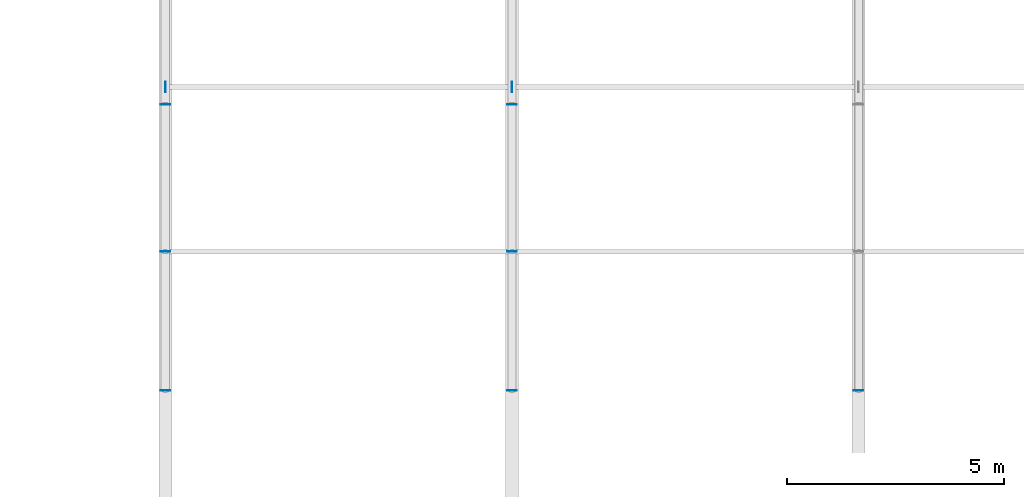
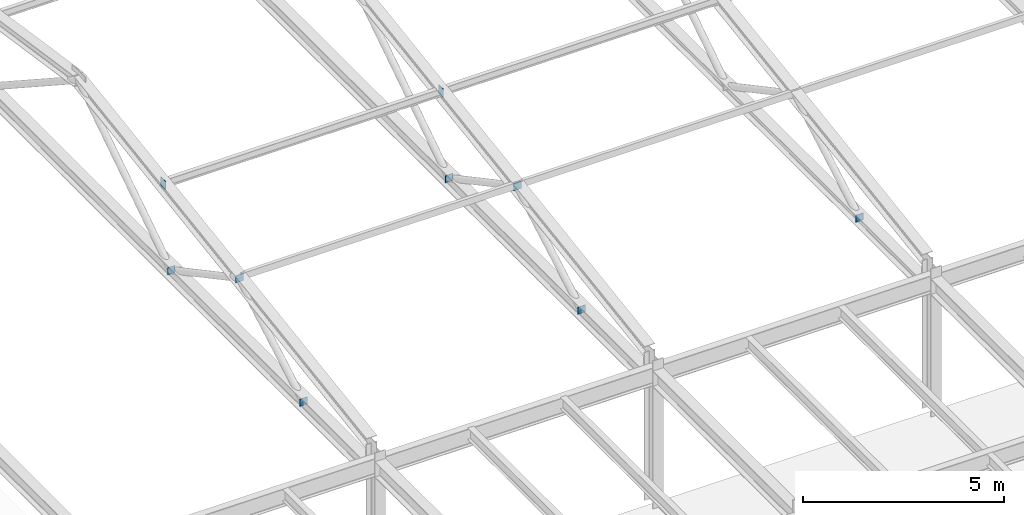
# One storey, part 36 of 75: 9 plates.
"""IFC4 building model written with IfcOpenShell, lengths in metres."""

from ifc_helpers import new_model, si_unit, direction, frame, origin, origin_2d, place, context, subcontext, project, spatial, rectangle, extrude, material, layer, layer_set, type_object, element, save


model = new_model("IFC4")

# Units and contexts
model_context = context("Model", 3, precision=1e-05, world=origin(), true_north=direction((0.0, 1.0)))
body_context = subcontext(model_context, "Body", "Model", "MODEL_VIEW")
ifc_project = project(units=[si_unit("LENGTHUNIT", "METRE"), si_unit("AREAUNIT", "SQUARE_METRE"), si_unit("VOLUMEUNIT", "CUBIC_METRE"), si_unit("PLANEANGLEUNIT", "RADIAN"), si_unit("MASSUNIT", "GRAM", prefix="KILO")], contexts=[model_context])

# Site, building, storey
site_placement = place(None, origin())
site = spatial("IfcSite", under=ifc_project, at=site_placement, CompositionType="ELEMENT")
building_placement = place(site_placement, origin())
building = spatial("IfcBuilding", under=site, at=building_placement, Name="Valkorina Park Police Headquarters", CompositionType="ELEMENT")
storey_placement = place(building_placement, frame((0.0, 0.0, 5.39990234375)))
storey = spatial("IfcBuildingStorey", under=building, at=storey_placement, Name="L02", CompositionType="ELEMENT", Elevation=5.39990234375)

# Plates
ifc_material = material(Name="Steel S355", Category="steel")
ifc_layer = layer(ifc_material, 0.011962890625)
ifc_layer_set = layer_set([ifc_layer], Name="Steel S355")
plate_type = type_object("IfcPlateType", Name="PL-ENDCAP-12", PredefinedType="USERDEFINED", material=ifc_layer_set)
for number, where, z_axis, x_axis, name in (
    (1, (128.800048828125, 85.0, 3.59033203125), (0.0, 0.0, 1.0), (1.0, 0.0, 0.0), "CHS Hollow End Cap Plate 86"),
    (2, (128.800048828125, 88.199951171875, 5.41015625), (0.0, 0.0, 1.0), (1.0, 0.0, 0.0), "CHS Hollow End Cap Plate 87"),
    (3, (128.800048828125, 91.60009765625, 3.59033203125), (0.0, 0.0, 1.0), (1.0, 0.0, 0.0), "CHS Hollow End Cap Plate 88"),
    (4, (136.800048828125, 85.0, 3.59033203125), (0.0, 0.0, 1.0), (1.0, 0.0, 0.0), "CHS Hollow End Cap Plate 95"),
    (5, (136.800048828125, 88.199951171875, 5.41015625), (0.0, 0.0, 1.0), (1.0, 0.0, 0.0), "CHS Hollow End Cap Plate 96"),
    (6, (136.800048828125, 91.60009765625, 3.59033203125), (0.0, 0.0, 1.0), (1.0, 0.0, 0.0), "CHS Hollow End Cap Plate 97"),
    (7, (144.800048828125, 85.0, 3.59033203125), (0.0, 0.0, 1.0), (1.0, 0.0, 0.0), "CHS Hollow End Cap Plate 104"),
):
    element("IfcPlate", number, at=place(storey_placement, frame(where, z_axis=z_axis, x_axis=x_axis)), inside=storey, type_object=plate_type, Name=name, ObjectType="END CAP PLATE", PredefinedType="USERDEFINED", context=body_context, shape_type="SweptSolid", body=[
        extrude(rectangle(XDim=0.219970703125, YDim=0.011962890625, at=origin_2d()), origin(), (0.0, 0.0, 1.0), 0.219970703125),
    ])
for number, where, z_axis, x_axis, name in (
    (8, (128.800048828125, 92.0, 5.97021484375), (0.0, 0.0, 1.0), (1.0, 0.0, 0.0), "V3 Purlin Cleat End Plate 119"),
    (9, (136.800048828125, 92.0, 5.97021484375), (0.0, 0.0, 1.0), (1.0, 0.0, 0.0), "V3 Purlin Cleat End Plate 120"),
):
    element("IfcPlate", number, at=place(storey_placement, frame(where, z_axis=z_axis, x_axis=x_axis)), inside=storey, type_object=plate_type, Name=name, ObjectType="END CAP PLATE", PredefinedType="USERDEFINED", context=body_context, shape_type="SweptSolid", body=[
        extrude(rectangle(XDim=0.011962890625, YDim=0.239990234375, at=origin_2d()), origin(), (0.0, 0.0, 1.0), 0.260009765625),
    ])

save(model, "model.ifc")
